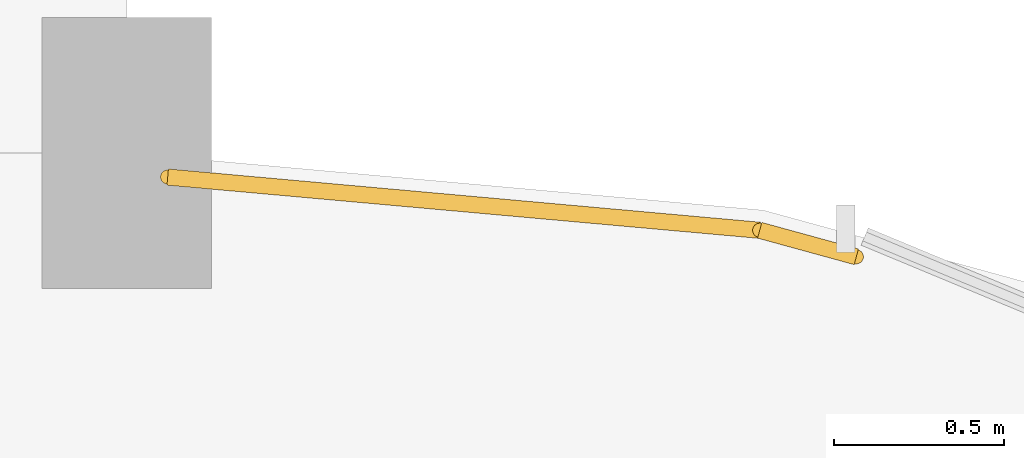
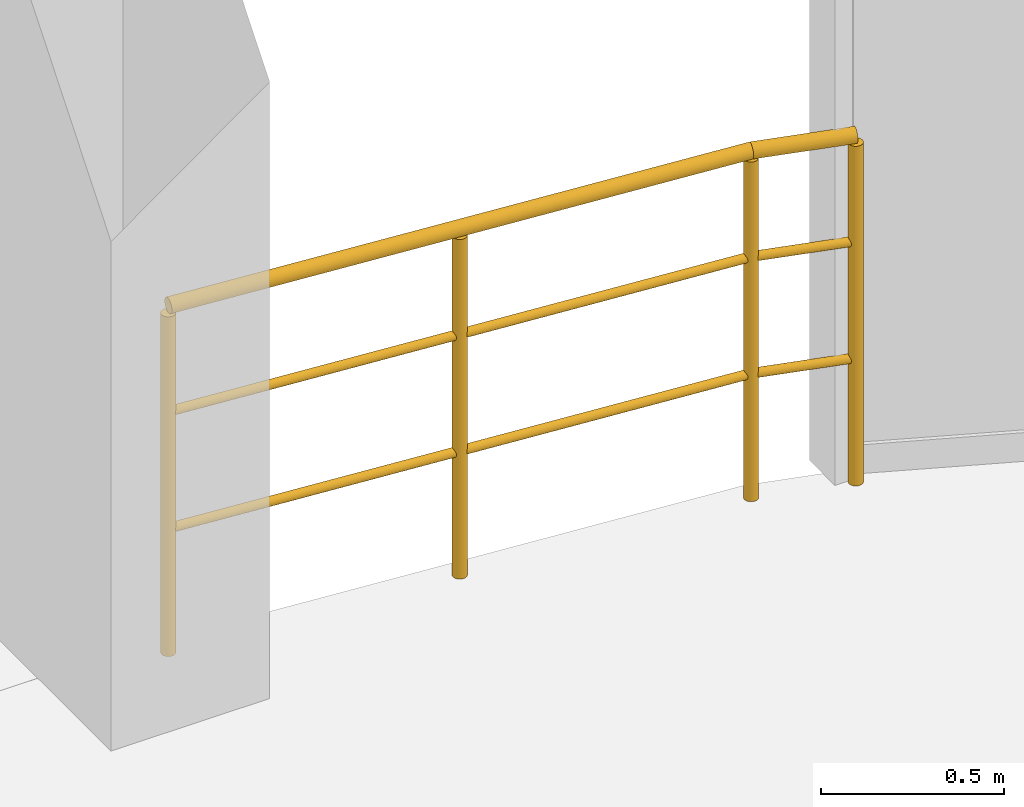
# One storey, part 84 of 85: 2 railings.
"""IFC4 building model written with IfcOpenShell, lengths in metres."""

from ifc_helpers import new_model, si_unit, direction, frame, origin, origin_2d, place, context, subcontext, project, spatial, circle, extrude, material, layer, layer_set, type_object, element, save


model = new_model("IFC4")

# Units and contexts
model_context = context("Model", 3, precision=1e-05, world=origin(), true_north=direction((0.0, 1.0)))
body_context = subcontext(model_context, "Body", "Model", "MODEL_VIEW")
ifc_project = project(units=[si_unit("LENGTHUNIT", "METRE"), si_unit("AREAUNIT", "SQUARE_METRE"), si_unit("VOLUMEUNIT", "CUBIC_METRE"), si_unit("PLANEANGLEUNIT", "RADIAN"), si_unit("MASSUNIT", "GRAM", prefix="KILO"), si_unit("THERMODYNAMICTEMPERATUREUNIT", "KELVIN"), si_unit("POWERUNIT", "WATT")], contexts=[model_context])

# Site, building, storey
site_placement = place(None, origin())
site = spatial("IfcSite", under=ifc_project, at=site_placement, CompositionType="ELEMENT")
building_placement = place(site_placement, origin())
building = spatial("IfcBuilding", under=site, at=building_placement, Name="Solmara Park Aquatics Centre", CompositionType="ELEMENT")
storey_placement = place(building_placement, origin())
storey = spatial("IfcBuildingStorey", under=building, at=storey_placement, Name="L00", CompositionType="ELEMENT", Elevation=0.0)

# Railings
ifc_material = material(Name="Toughened Glass and Stainless Steel Stand Guardrail", Category="steel")
ifc_layer = layer(ifc_material, 0.06005859375, Name="Toughened Glass and Stainless Steel Stand Guardrail")
ifc_layer_set = layer_set([ifc_layer], Name="Toughened Glass and Stainless Steel Stand Guardrail")
railing_type = type_object("IfcRailingType", Name="ARC-RL-STD110", PredefinedType="GUARDRAIL", material=ifc_layer_set)
railing_1_placement = place(storey_placement, frame((156.120361328125, 135.928955078125, 0.0)))
element("IfcRailing", 1, at=railing_1_placement, inside=storey, type_object=railing_type, Name="L00 Slab Edge Guardrail 030", PredefinedType="GUARDRAIL", context=body_context, shape_type="SweptSolid", body=[
    extrude(circle(Radius=0.02392578125, at=origin_2d()), frame((0.0, 0.0, 1.15576171875), z_axis=(0.995982888607, -0.089543763615, 0.0), x_axis=(0.089543763615, 0.995982888607, 0.0)), (0.0, 0.0, 1.0), 1.753173828125),
    extrude(circle(Radius=0.01416015625, at=origin_2d()), frame((0.0, 0.0, 0.4130859375), z_axis=(0.995982888607, -0.089543763615, 0.0), x_axis=(0.089543763615, 0.995982888607, 0.0)), (0.0, 0.0, 1.0), 1.753173828125),
    extrude(circle(Radius=0.01416015625, at=origin_2d()), frame((0.0, 0.0, 0.80224609375), z_axis=(0.995982888607, -0.089543763615, 0.0), x_axis=(0.089543763615, 0.995982888607, 0.0)), (0.0, 0.0, 1.0), 1.753173828125),
    extrude(circle(Radius=0.02099609375, at=origin_2d()), origin(), (0.0, 0.0, 1.0), 1.1318359375),
    extrude(circle(Radius=0.02099609375, at=origin_2d()), frame((0.873046875, -0.07861328125, 0.0)), (0.0, 0.0, 1.0), 1.1318359375),
    extrude(circle(Radius=0.02099609375, at=origin_2d()), frame((1.74609375, -0.156982421875, 0.0)), (0.0, 0.0, 1.0), 1.1318359375),
])
railing_2_placement = place(storey_placement, frame((157.866455078125, 135.77197265625, 0.0)))
element("IfcRailing", 2, at=railing_2_placement, inside=storey, type_object=railing_type, Name="L00 Slab Edge Guardrail 031", PredefinedType="GUARDRAIL", context=body_context, shape_type="SweptSolid", body=[
    extrude(circle(Radius=0.02392578125, at=origin_2d()), frame((0.0, 0.0, 1.15576171875), z_axis=(0.964400564912, -0.264445741878, 0.0), x_axis=(0.264445741878, 0.964400564912, 0.0)), (0.0, 0.0, 1.0), 0.29541015625),
    extrude(circle(Radius=0.01416015625, at=origin_2d()), frame((0.0, 0.0, 0.4130859375), z_axis=(0.964400564912, -0.264445741878, 0.0), x_axis=(0.264445741878, 0.964400564912, 0.0)), (0.0, 0.0, 1.0), 0.29541015625),
    extrude(circle(Radius=0.01416015625, at=origin_2d()), frame((0.0, 0.0, 0.80224609375), z_axis=(0.964400564912, -0.264445741878, 0.0), x_axis=(0.264445741878, 0.964400564912, 0.0)), (0.0, 0.0, 1.0), 0.29541015625),
    extrude(circle(Radius=0.02099609375, at=origin_2d()), origin(), (0.0, 0.0, 1.0), 1.1318359375),
    extrude(circle(Radius=0.02099609375, at=origin_2d()), frame((0.284912109375, -0.078125, 0.0)), (0.0, 0.0, 1.0), 1.1318359375),
])

save(model, "model.ifc")
